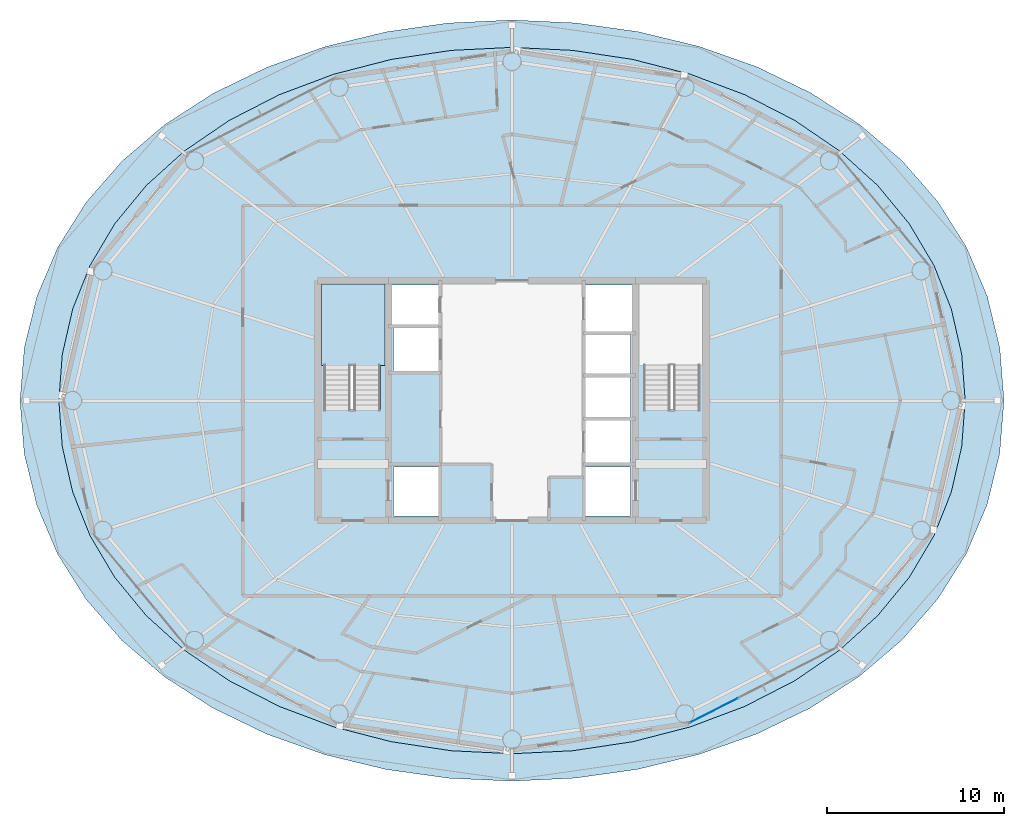
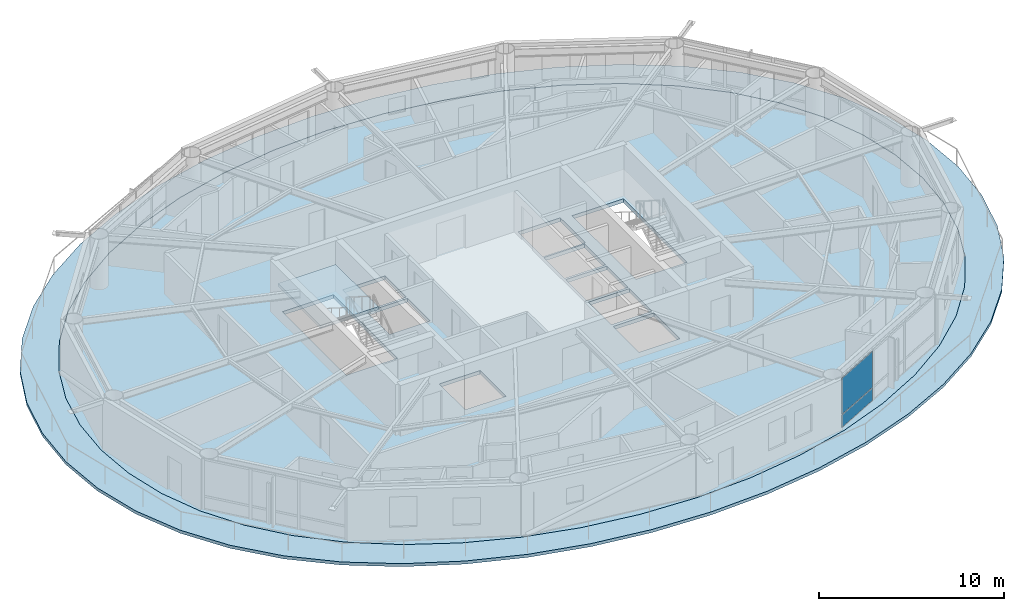
# One storey, part 13 of 23: 3 slabs, 2 plates, 2 elements without a shape of their own.
"""IFC4 building model written with IfcOpenShell, lengths in metres."""

from ifc_helpers import new_model, si_unit, direction, frame, origin, origin_2d, place, context, subcontext, project, spatial, polyline, rectangle, outline, extrude, material, layer, layer_set, type_object, element, aggregate, save


model = new_model("IFC4")

# Units and contexts
model_context = context("Model", 3, precision=1e-05, world=origin(), true_north=direction((0.0, 1.0)))
body_context = subcontext(model_context, "Body", "Model", "MODEL_VIEW")
ifc_project = project(units=[si_unit("LENGTHUNIT", "METRE"), si_unit("AREAUNIT", "SQUARE_METRE"), si_unit("VOLUMEUNIT", "CUBIC_METRE"), si_unit("PLANEANGLEUNIT", "RADIAN"), si_unit("MASSUNIT", "GRAM", prefix="KILO")], contexts=[model_context])

# Site, building, storey
site_placement = place(None, origin())
site = spatial("IfcSite", under=ifc_project, at=site_placement, CompositionType="ELEMENT")
building_placement = place(site_placement, origin())
building = spatial("IfcBuilding", under=site, at=building_placement, Name="Sarneth Arch Tower", CompositionType="ELEMENT")
storey_placement = place(building_placement, frame((0.0, 0.0, 249.60009765625)))
storey = spatial("IfcBuildingStorey", under=building, at=storey_placement, Name="L64", CompositionType="ELEMENT", Elevation=249.60009765625)

# Curtain wall, plates
ifc_material_1 = material(Name="Anodised aluminium Type AA25 and solar-control low-e laminated IGU", Category="aluminium")
ifc_layer_1 = layer(ifc_material_1, 0.179931640625)
ifc_layer_set_1 = layer_set([ifc_layer_1], Name="Anodised aluminium Type AA25 and solar-control low-e laminated IGU")
curtain_wall_type = type_object("IfcCurtainWallType", Name="CW-RES-HIGH", PredefinedType="NOTDEFINED", material=ifc_layer_set_1)
curtain_wall_placement = place(storey_placement, origin())
curtain_wall = element("IfcCurtainWall", 1, at=curtain_wall_placement, inside=storey, type_object=curtain_wall_type, Name="L64 Unitised curtain wall facet 14", PredefinedType="NOTDEFINED")
ifc_material_2 = material(Name="Solar-control low-e laminated IGU", Category="glass")
ifc_layer_2 = layer(ifc_material_2, 0.028076171875)
ifc_layer_set_2 = layer_set([ifc_layer_2], Name="Solar-control low-e laminated IGU")
plate_type = type_object("IfcPlateType", Name="CW-PANEL", PredefinedType="CURTAIN_PANEL", material=ifc_layer_set_2)
plate_1_placement = place(storey_placement, frame((59.4208984375, 24.447021484375, 0.059814453125), z_axis=(0.0, 0.0, 1.0), x_axis=(0.890009540525, 0.455941901753, 0.0)))
plate_1 = element("IfcPlate", 2, at=plate_1_placement, type_object=plate_type, Name="Curtain wall glazed vision pane CW-L64-F14/P00-00", PredefinedType="CURTAIN_PANEL", context=body_context, shape_type="SweptSolid", body=[
    extrude(rectangle(XDim=3.044677734375, YDim=0.028076171875, at=origin_2d()), origin(), (0.0, 0.0, 1.0), 0.81005859375),
])
plate_2_placement = place(storey_placement, frame((59.4208984375, 24.447021484375, 0.929931640625), z_axis=(0.0, 0.0, 1.0), x_axis=(0.890009540525, 0.455941901753, 0.0)))
plate_2 = element("IfcPlate", 3, at=plate_2_placement, type_object=plate_type, Name="Curtain wall glazed vision pane CW-L64-F14/P00-01", PredefinedType="CURTAIN_PANEL", context=body_context, shape_type="SweptSolid", body=[
    extrude(rectangle(XDim=3.044677734375, YDim=0.028076171875, at=origin_2d()), origin(), (0.0, 0.0, 1.0), 2.3701171875),
])
aggregate(curtain_wall, [plate_1, plate_2])

# Slab
ifc_material_3 = material(Name="Concrete C50/60", Category="concrete")
ifc_layer_3 = layer(ifc_material_3, 0.199951171875)
ifc_layer_set_3 = layer_set([ifc_layer_3], Name="Concrete C50/60")
slab_type_1 = type_object("IfcSlabType", Name="SLAB-BALC-200", PredefinedType="FLOOR", material=ifc_layer_set_3)
slab_1_placement = place(storey_placement, frame((0.0, 0.0, -0.2001953125)))
element("IfcSlab", 4, at=slab_1_placement, inside=storey, type_object=slab_type_1, Name="L64 Helical balcony band slab", PredefinedType="FLOOR", context=body_context, shape_type="SweptSolid", body=[
    extrude(outline(polyline([(75.860595703125, 42.0), (75.62353515625, 44.995849609375), (74.911376953125, 47.913330078125), (73.737548828125, 50.683349609375), (72.12158203125, 53.25341796875), (70.08837890625, 55.584716796875), (67.6708984375, 57.649658203125), (64.912353515625, 59.42626953125), (61.8662109375, 60.89892578125), (58.591552734375, 62.05517578125), (55.150146484375, 62.885986328125), (51.60107421875, 63.385498046875), (48.0, 63.55029296875), (44.3994140625, 63.379638671875), (40.85205078125, 62.874755859375), (37.413330078125, 62.039794921875), (34.141845703125, 60.881103515625), (31.0986328125, 59.407470703125), (28.3427734375, 57.63134765625), (25.9267578125, 55.569091796875), (23.893798828125, 53.2412109375), (22.2763671875, 50.675537109375), (21.099365234375, 47.909423828125), (20.38232421875, 44.994873046875), (20.139404296875, 42.0), (20.37646484375, 39.004150390625), (21.088623046875, 36.086669921875), (22.262451171875, 33.316650390625), (23.87841796875, 30.74658203125), (25.91162109375, 28.415283203125), (28.3291015625, 26.350341796875), (31.087646484375, 24.57373046875), (34.1337890625, 23.10107421875), (37.408447265625, 21.94482421875), (40.849853515625, 21.114013671875), (44.39892578125, 20.614501953125), (48.0, 20.44970703125), (51.6005859375, 20.620361328125), (55.14794921875, 21.125244140625), (58.586669921875, 21.960205078125), (61.858154296875, 23.118896484375), (64.9013671875, 24.592529296875), (67.6572265625, 26.36865234375), (70.0732421875, 28.430908203125), (72.106201171875, 30.7587890625), (73.7236328125, 33.324462890625), (74.900634765625, 36.090576171875), (75.61767578125, 39.005126953125), (75.860595703125, 42.0)]), holes=[polyline([(73.660888671875, 42.0), (73.466064453125, 44.610595703125), (72.87890625, 47.17626953125), (71.892822265625, 49.653564453125), (70.5029296875, 52.0), (68.712158203125, 54.17529296875), (66.536865234375, 56.14208984375), (64.009521484375, 57.8671875), (61.177001953125, 59.320556640625), (58.0966796875, 60.4775390625), (54.83203125, 61.318603515625), (51.44580078125, 61.828857421875), (48.0, 62.0), (44.55419921875, 61.828857421875), (41.16796875, 61.318603515625), (37.9033203125, 60.4775390625), (34.822998046875, 59.320556640625), (31.990478515625, 57.8671875), (29.463134765625, 56.14208984375), (27.287841796875, 54.17529296875), (25.4970703125, 52.0), (24.107177734375, 49.653564453125), (23.12109375, 47.17626953125), (22.533935546875, 44.610595703125), (22.339111328125, 42.0), (22.533935546875, 39.389404296875), (23.12109375, 36.82373046875), (24.107177734375, 34.346435546875), (25.4970703125, 32.0), (27.287841796875, 29.82470703125), (29.463134765625, 27.85791015625), (31.990478515625, 26.1328125), (34.822998046875, 24.679443359375), (37.9033203125, 23.5224609375), (41.16796875, 22.681396484375), (44.55419921875, 22.171142578125), (48.0, 22.0), (51.44580078125, 22.171142578125), (54.83203125, 22.681396484375), (58.0966796875, 23.5224609375), (61.177001953125, 24.679443359375), (64.009521484375, 26.1328125), (66.536865234375, 27.85791015625), (68.712158203125, 29.82470703125), (70.5029296875, 32.0), (71.892822265625, 34.346435546875), (72.87890625, 36.82373046875), (73.466064453125, 39.389404296875), (73.660888671875, 42.0)])]), origin(), (0.0, 0.0, 1.0), 0.2001953125),
])

# Stair, slab
ifc_material_4 = material(Name="Concrete C50/60", Category="concrete")
stair_type = type_object("IfcStairType", Name="STAIR-CORE-RC", PredefinedType="HALF_TURN_STAIR", material=ifc_material_4)
stair_placement = place(storey_placement, origin())
stair = element("IfcStair", 5, at=stair_placement, inside=storey, type_object=stair_type, Name="L64 Core Exit Stair 1", PredefinedType="HALF_TURN_STAIR")
ifc_material_5 = material(Name="Concrete C50/60", Category="concrete")
ifc_layer_4 = layer(ifc_material_5, 0.199951171875)
ifc_layer_set_4 = layer_set([ifc_layer_4], Name="Concrete C50/60")
slab_type_2 = type_object("IfcSlabType", Name="SLAB-LANDING-200", PredefinedType="LANDING", material=ifc_layer_set_4)
slab_2_placement = place(storey_placement, frame((0.0, 0.0, 1.599853515625)))
slab_2 = element("IfcSlab", 6, at=slab_2_placement, type_object=slab_type_2, Name="ST-1 landing 1", PredefinedType="LANDING", context=body_context, shape_type="SweptSolid", body=[
    extrude(outline(polyline([(37.199951171875, 43.985107421875), (40.800048828125, 43.985107421875), (40.800048828125, 48.60009765625), (37.199951171875, 48.60009765625), (37.199951171875, 43.985107421875)])), origin(), (0.0, 0.0, 1.0), 0.199951171875),
])
aggregate(stair, [slab_2])

# Slab
ifc_material_6 = material(Name="Concrete C50/60", Category="concrete")
ifc_layer_5 = layer(ifc_material_6, 0.239990234375)
ifc_layer_set_5 = layer_set([ifc_layer_5], Name="Concrete C50/60")
slab_type_3 = type_object("IfcSlabType", Name="SLAB-TOWER-240", PredefinedType="FLOOR", material=ifc_layer_set_5)
slab_3_placement = place(storey_placement, frame((0.0, 0.0, -0.239990234375)))
element("IfcSlab", 7, at=slab_3_placement, inside=storey, type_object=slab_type_3, Name="L64 Elliptical floor slab", PredefinedType="FLOOR", context=body_context, shape_type="SweptSolid", body=[
    extrude(outline(polyline([(73.660888671875, 42.0), (73.466064453125, 44.610595703125), (72.87890625, 47.17626953125), (71.892822265625, 49.653564453125), (70.5029296875, 52.0), (68.712158203125, 54.17529296875), (66.536865234375, 56.14208984375), (64.009521484375, 57.8671875), (61.177001953125, 59.320556640625), (58.0966796875, 60.4775390625), (54.83203125, 61.318603515625), (51.44580078125, 61.828857421875), (48.0, 62.0), (44.55419921875, 61.828857421875), (41.16796875, 61.318603515625), (37.9033203125, 60.4775390625), (34.822998046875, 59.320556640625), (31.990478515625, 57.8671875), (29.463134765625, 56.14208984375), (27.287841796875, 54.17529296875), (25.4970703125, 52.0), (24.107177734375, 49.653564453125), (23.12109375, 47.17626953125), (22.533935546875, 44.610595703125), (22.339111328125, 42.0), (22.533935546875, 39.389404296875), (23.12109375, 36.82373046875), (24.107177734375, 34.346435546875), (25.4970703125, 32.0), (27.287841796875, 29.82470703125), (29.463134765625, 27.85791015625), (31.990478515625, 26.1328125), (34.822998046875, 24.679443359375), (37.9033203125, 23.5224609375), (41.16796875, 22.681396484375), (44.55419921875, 22.171142578125), (48.0, 22.0), (51.44580078125, 22.171142578125), (54.83203125, 22.681396484375), (58.0966796875, 23.5224609375), (61.177001953125, 24.679443359375), (64.009521484375, 26.1328125), (66.536865234375, 27.85791015625), (68.712158203125, 29.82470703125), (70.5029296875, 32.0), (71.892822265625, 34.346435546875), (72.87890625, 36.82373046875), (73.466064453125, 39.389404296875), (73.660888671875, 42.0)]), holes=[polyline([(37.35009765625, 41.489990234375), (40.550048828125, 41.489990234375), (40.550048828125, 48.39990234375), (37.35009765625, 48.39990234375), (37.35009765625, 41.489990234375)]), polyline([(55.449951171875, 41.489990234375), (58.64990234375, 41.489990234375), (58.64990234375, 48.39990234375), (55.449951171875, 48.39990234375), (55.449951171875, 41.489990234375)]), polyline([(41.199951171875, 46.25), (43.85009765625, 46.25), (43.85009765625, 48.550048828125), (41.199951171875, 48.550048828125), (41.199951171875, 46.25)]), polyline([(41.300048828125, 35.449951171875), (43.85009765625, 35.449951171875), (43.85009765625, 38.25), (41.300048828125, 38.25), (41.300048828125, 35.449951171875)]), polyline([(52.14990234375, 35.449951171875), (54.699951171875, 35.449951171875), (54.699951171875, 38.25), (52.14990234375, 38.25), (52.14990234375, 35.449951171875)]), polyline([(52.14990234375, 45.85009765625), (54.800048828125, 45.85009765625), (54.800048828125, 48.550048828125), (52.14990234375, 48.550048828125), (52.14990234375, 45.85009765625)]), polyline([(41.300048828125, 43.64990234375), (43.85009765625, 43.64990234375), (43.85009765625, 46.10009765625), (41.300048828125, 46.10009765625), (41.300048828125, 43.64990234375)]), polyline([(52.14990234375, 38.449951171875), (54.699951171875, 38.449951171875), (54.699951171875, 40.89990234375), (52.14990234375, 40.89990234375), (52.14990234375, 38.449951171875)]), polyline([(52.14990234375, 41.050048828125), (54.699951171875, 41.050048828125), (54.699951171875, 43.35009765625), (52.14990234375, 43.35009765625), (52.14990234375, 41.050048828125)]), polyline([(52.14990234375, 43.5), (54.699951171875, 43.5), (54.699951171875, 45.75), (52.14990234375, 45.75), (52.14990234375, 43.5)])]), origin(), (0.0, 0.0, 1.0), 0.239990234375),
])

save(model, "model.ifc")
